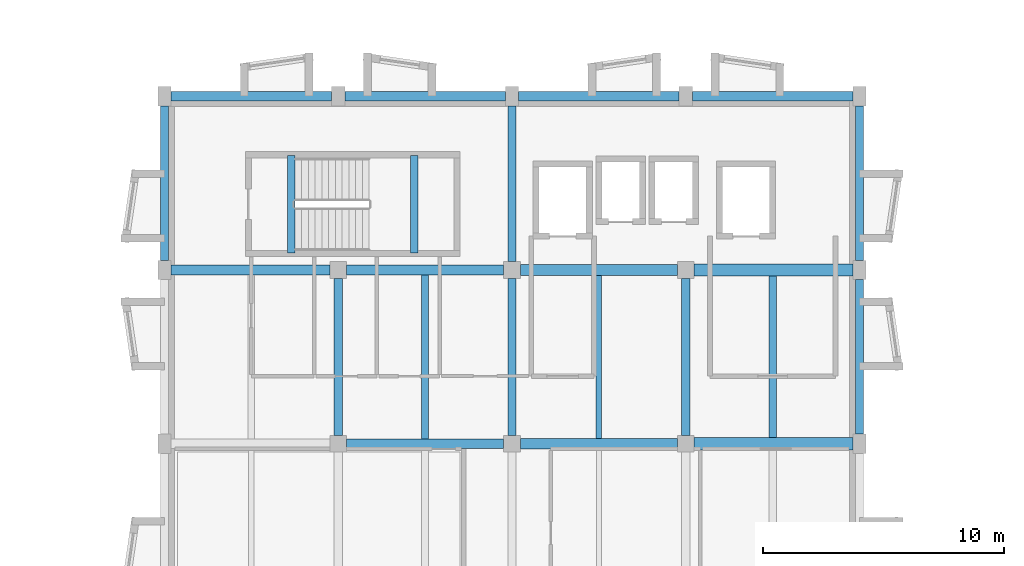
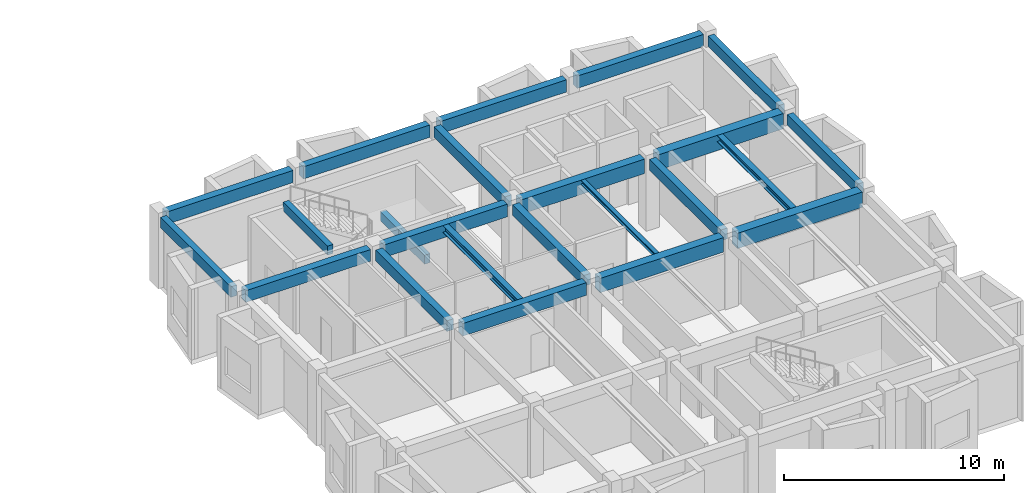
# One storey, part 21 of 49: 23 beams.
"""IFC4 building model written with IfcOpenShell, lengths in metres."""

from ifc_helpers import new_model, si_unit, direction, frame, origin, origin_2d, place, context, subcontext, project, spatial, rectangle, i_section, extrude, material, material_profile, profile_set, type_object, element, save


model = new_model("IFC4")

# Units and contexts
model_context = context("Model", 3, precision=1e-05, world=origin(), true_north=direction((0.0, 1.0)))
body_context = subcontext(model_context, "Body", "Model", "MODEL_VIEW")
ifc_project = project(units=[si_unit("LENGTHUNIT", "METRE"), si_unit("AREAUNIT", "SQUARE_METRE"), si_unit("VOLUMEUNIT", "CUBIC_METRE"), si_unit("PLANEANGLEUNIT", "RADIAN"), si_unit("MASSUNIT", "GRAM", prefix="KILO")], contexts=[model_context])

# Site, building, storey
site_placement = place(None, origin())
site = spatial("IfcSite", under=ifc_project, at=site_placement, CompositionType="ELEMENT")
building_placement = place(site_placement, origin())
building = spatial("IfcBuilding", under=site, at=building_placement, Name="Bramveld Media Centre", CompositionType="ELEMENT")
storey_placement = place(building_placement, frame((0.0, 0.0, 9.60009765625)))
storey = spatial("IfcBuildingStorey", under=building, at=storey_placement, Name="L02", CompositionType="ELEMENT", Elevation=9.60009765625)

# Beams
ifc_material_1 = material(Name="Concrete C40/50", Category="concrete")
ifc_material_profile_1 = material_profile(ifc_material_1, rectangle(XDim=0.300048828125, YDim=0.5, at=origin_2d()), Name="RC 300x500")
ifc_profile_set_1 = profile_set([ifc_material_profile_1], Name="Concrete C40/50")
beam_type_1 = type_object("IfcBeamType", Name="BM-INT-RC-300x500", PredefinedType="BEAM", material=ifc_profile_set_1)
for number, where, z_axis, x_axis, name in (
    (1, (136.449951171875, 105.5, 3.949951171875), (0.0, 1.0, 0.0), (-1.0, 0.0, 0.0), "ST-01 L03 stairwell landing trimmer beam"),
    (2, (141.550048828125, 105.5, 1.64990234375), (0.0, 1.0, 0.0), (-1.0, 0.0, 0.0), "ST-01 L02 stairwell half-landing support beam"),
):
    element("IfcBeam", number, at=place(storey_placement, frame(where, z_axis=z_axis, x_axis=x_axis)), inside=storey, type_object=beam_type_1, Name=name, PredefinedType="BEAM", context=body_context, shape_type="SweptSolid", body=[
        extrude(rectangle(XDim=0.300048828125, YDim=0.5, at=origin_2d()), origin(), (0.0, 0.0, 1.0), 4.050048828125),
    ])
ifc_material_2 = material(Name="Concrete C40/50", Category="concrete")
ifc_material_profile_2 = material_profile(ifc_material_2, rectangle(XDim=0.35009765625, YDim=0.60009765625, at=origin_2d()), Name="RC 350x600")
ifc_profile_set_2 = profile_set([ifc_material_profile_2], Name="Concrete C40/50")
beam_type_2 = type_object("IfcBeamType", Name="BM-INT-RC-350x600", PredefinedType="BEAM", material=ifc_profile_set_2)
for number, where, z_axis, x_axis, name in (
    (3, (138.39990234375, 97.949951171875, 3.64990234375), (0.0, 1.0, 0.0), (-1.0, 0.0, 0.0), "V7 L02 girder Y-1364"),
    (4, (145.60009765625, 97.949951171875, 3.64990234375), (0.0, 1.0, 0.0), (-1.0, 0.0, 0.0), "V7 L02 girder Y-1367"),
):
    element("IfcBeam", number, at=place(storey_placement, frame(where, z_axis=z_axis, x_axis=x_axis)), inside=storey, type_object=beam_type_2, Name=name, PredefinedType="BEAM", context=body_context, shape_type="SweptSolid", body=[
        extrude(rectangle(XDim=0.35009765625, YDim=0.60009765625, at=origin_2d()), origin(), (0.0, 0.0, 1.0), 6.5),
    ])
beam_1_placement = place(storey_placement, frame((145.60009765625, 105.14990234375, 3.64990234375), z_axis=(0.0, 1.0, 0.0), x_axis=(-1.0, 0.0, 0.0)))
element("IfcBeam", 5, at=beam_1_placement, inside=storey, type_object=beam_type_2, Name="V7 L02 girder Y-1368", PredefinedType="BEAM", context=body_context, shape_type="SweptSolid", body=[
    extrude(rectangle(XDim=0.35009765625, YDim=0.60009765625, at=origin_2d()), origin(), (0.0, 0.0, 1.0), 6.4501953125),
])
beam_2_placement = place(storey_placement, frame((152.800048828125, 97.949951171875, 3.64990234375), z_axis=(0.0, 1.0, 0.0), x_axis=(-1.0, 0.0, 0.0)))
element("IfcBeam", 6, at=beam_2_placement, inside=storey, type_object=beam_type_2, Name="V7 L02 girder Y-1370", PredefinedType="BEAM", context=body_context, shape_type="SweptSolid", body=[
    extrude(rectangle(XDim=0.35009765625, YDim=0.60009765625, at=origin_2d()), origin(), (0.0, 0.0, 1.0), 6.5),
])
ifc_material_3 = material(Name="Concrete C40/50", Category="concrete")
ifc_material_profile_3 = material_profile(ifc_material_3, rectangle(XDim=0.39990234375, YDim=0.64990234375, at=origin_2d()), Name="RC 400x650")
ifc_profile_set_3 = profile_set([ifc_material_profile_3], Name="Concrete C40/50")
beam_type_3 = type_object("IfcBeamType", Name="BM-INT-RC-400x650", PredefinedType="BEAM", material=ifc_profile_set_3)
beam_3_placement = place(storey_placement, frame((131.47509765625, 104.800048828125, 3.625), z_axis=(1.0, 0.0, 0.0), x_axis=(0.0, 1.0, 0.0)))
element("IfcBeam", 7, at=beam_3_placement, inside=storey, type_object=beam_type_3, Name="V7 L02 girder X-1350", PredefinedType="BEAM", context=body_context, shape_type="SweptSolid", body=[
    extrude(rectangle(XDim=0.39990234375, YDim=0.64990234375, at=origin_2d()), origin(), (0.0, 0.0, 1.0), 6.574951171875),
])
ifc_material_4 = material(Name="Concrete C40/50", Category="concrete")
ifc_material_profile_4 = material_profile(ifc_material_4, rectangle(XDim=0.39990234375, YDim=0.699951171875, at=origin_2d()), Name="RC 400x700")
ifc_profile_set_4 = profile_set([ifc_material_profile_4], Name="Concrete C40/50")
beam_type_4 = type_object("IfcBeamType", Name="BM-INT-RC-400x700", PredefinedType="BEAM", material=ifc_profile_set_4)
for number, where, z_axis, x_axis, name in (
    (8, (138.75, 97.60009765625, 3.599853515625), (1.0, 0.0, 0.0), (0.0, 1.0, 0.0), "V7 L02 girder X-1347"),
    (9, (138.75, 104.800048828125, 3.599853515625), (1.0, 0.0, 0.0), (0.0, 1.0, 0.0), "V7 L02 girder X-1351"),
):
    element("IfcBeam", number, at=place(storey_placement, frame(where, z_axis=z_axis, x_axis=x_axis)), inside=storey, type_object=beam_type_4, Name=name, PredefinedType="BEAM", context=body_context, shape_type="SweptSolid", body=[
        extrude(rectangle(XDim=0.39990234375, YDim=0.699951171875, at=origin_2d()), origin(), (0.0, 0.0, 1.0), 6.5),
    ])
ifc_material_5 = material(Name="Concrete C40/50", Category="concrete")
ifc_material_profile_5 = material_profile(ifc_material_5, rectangle(XDim=0.449951171875, YDim=0.800048828125, at=origin_2d()), Name="RC 450x800")
ifc_profile_set_5 = profile_set([ifc_material_profile_5], Name="Concrete C40/50")
beam_type_5 = type_object("IfcBeamType", Name="BM-INT-RC-450x800", PredefinedType="BEAM", material=ifc_profile_set_5)
for number, where, z_axis, x_axis, name in (
    (10, (145.949951171875, 97.60009765625, 3.5498046875), (1.0, 0.0, 0.0), (0.0, 1.0, 0.0), "V7 L02 girder X-1348"),
    (11, (145.949951171875, 104.800048828125, 3.5498046875), (1.0, 0.0, 0.0), (0.0, 1.0, 0.0), "V7 L02 girder X-1352"),
):
    element("IfcBeam", number, at=place(storey_placement, frame(where, z_axis=z_axis, x_axis=x_axis)), inside=storey, type_object=beam_type_5, Name=name, PredefinedType="BEAM", context=body_context, shape_type="SweptSolid", body=[
        extrude(rectangle(XDim=0.449951171875, YDim=0.800048828125, at=origin_2d()), origin(), (0.0, 0.0, 1.0), 6.5),
    ])
ifc_material_6 = material(Name="Concrete C40/50", Category="concrete")
ifc_material_profile_6 = material_profile(ifc_material_6, rectangle(XDim=0.5, YDim=0.85009765625, at=origin_2d()), Name="RC 500x850")
ifc_profile_set_6 = profile_set([ifc_material_profile_6], Name="Concrete C40/50")
beam_type_6 = type_object("IfcBeamType", Name="BM-INT-RC-500x850", PredefinedType="BEAM", material=ifc_profile_set_6)
for number, where, z_axis, x_axis, name in (
    (12, (153.14990234375, 97.60009765625, 3.52490234375), (1.0, 0.0, 0.0), (0.0, 1.0, 0.0), "V7 L02 girder X-1349"),
    (13, (153.14990234375, 104.800048828125, 3.52490234375), (1.0, 0.0, 0.0), (0.0, 1.0, 0.0), "V7 L02 girder X-1353"),
):
    element("IfcBeam", number, at=place(storey_placement, frame(where, z_axis=z_axis, x_axis=x_axis)), inside=storey, type_object=beam_type_6, Name=name, PredefinedType="BEAM", context=body_context, shape_type="SweptSolid", body=[
        extrude(rectangle(XDim=0.5, YDim=0.85009765625, at=origin_2d()), origin(), (0.0, 0.0, 1.0), 6.5751953125),
    ])
ifc_material_7 = material(Name="Steel S355J2", Category="steel")
ifc_material_profile_7 = material_profile(ifc_material_7, i_section(OverallWidth=0.300048828125, OverallDepth=0.389892578125, WebThickness=0.010986328125, FlangeThickness=0.01904296875, FilletRadius=0.027099609375, at=origin_2d()), Name="HEA 400")
ifc_profile_set_7 = profile_set([ifc_material_profile_7], Name="Steel S355J2")
beam_type_7 = type_object("IfcBeamType", Name="SBM-INT-HEA-400", PredefinedType="BEAM", material=ifc_profile_set_7)
beam_4_placement = place(storey_placement, frame((142.0, 97.800048828125, 3.7548828125), z_axis=(0.0, 1.0, 0.0), x_axis=(-1.0, 0.0, 0.0)))
element("IfcBeam", 14, at=beam_4_placement, inside=storey, type_object=beam_type_7, Name="V7 L02 secondary floor joist 1380", PredefinedType="BEAM", context=body_context, shape_type="SweptSolid", body=[
    extrude(i_section(OverallWidth=0.300048828125, OverallDepth=0.389892578125, WebThickness=0.010986328125, FlangeThickness=0.01904296875, FilletRadius=0.027099609375, at=origin_2d()), origin(), (0.0, 0.0, 1.0), 6.800048828125),
])
ifc_material_8 = material(Name="Steel S355J2", Category="steel")
ifc_material_profile_8 = material_profile(ifc_material_8, i_section(OverallWidth=0.219970703125, OverallDepth=0.219970703125, WebThickness=0.009521484375, FlangeThickness=0.01611328125, FilletRadius=0.01806640625, at=origin_2d()), Name="HEB 220")
ifc_profile_set_8 = profile_set([ifc_material_profile_8], Name="Steel S355J2")
beam_type_8 = type_object("IfcBeamType", Name="SBM-INT-HEB-220", PredefinedType="BEAM", material=ifc_profile_set_8)
beam_5_placement = place(storey_placement, frame((149.199951171875, 97.824951171875, 3.83984375), z_axis=(0.0, 1.0, 0.0), x_axis=(-1.0, 0.0, 0.0)))
element("IfcBeam", 15, at=beam_5_placement, inside=storey, type_object=beam_type_8, Name="V7 L02 secondary floor joist 1382", PredefinedType="BEAM", context=body_context, shape_type="SweptSolid", body=[
    extrude(i_section(OverallWidth=0.219970703125, OverallDepth=0.219970703125, WebThickness=0.009521484375, FlangeThickness=0.01611328125, FilletRadius=0.01806640625, at=origin_2d()), origin(), (0.0, 0.0, 1.0), 6.75),
])
ifc_material_9 = material(Name="Steel S355J2", Category="steel")
ifc_material_profile_9 = material_profile(ifc_material_9, i_section(OverallWidth=0.300048828125, OverallDepth=0.360107421875, WebThickness=0.012451171875, FlangeThickness=0.0224609375, FilletRadius=0.027099609375, at=origin_2d()), Name="HEB 360")
ifc_profile_set_9 = profile_set([ifc_material_profile_9], Name="Steel S355J2")
beam_type_9 = type_object("IfcBeamType", Name="SBM-INT-HEB-360", PredefinedType="BEAM", material=ifc_profile_set_9)
beam_6_placement = place(storey_placement, frame((156.39990234375, 97.85009765625, 3.77001953125), z_axis=(0.0, 1.0, 0.0), x_axis=(-1.0, 0.0, 0.0)))
element("IfcBeam", 16, at=beam_6_placement, inside=storey, type_object=beam_type_9, Name="V7 L02 secondary floor joist 1385", PredefinedType="BEAM", context=body_context, shape_type="SweptSolid", body=[
    extrude(i_section(OverallWidth=0.300048828125, OverallDepth=0.360107421875, WebThickness=0.012451171875, FlangeThickness=0.0224609375, FilletRadius=0.027099609375, at=origin_2d()), origin(), (0.0, 0.0, 1.0), 6.699951171875),
])
ifc_material_10 = material(Name="Concrete C40/50", Category="concrete")
ifc_material_profile_10 = material_profile(ifc_material_10, rectangle(XDim=0.320068359375, YDim=0.580078125, at=origin_2d()), Name="RC 320x580")
ifc_profile_set_10 = profile_set([ifc_material_profile_10], Name="Concrete C40/50")
beam_type_10 = type_object("IfcBeamType", Name="SPANDREL-EXT-RC-320x580", PredefinedType="SPANDREL", material=ifc_profile_set_10)
beam_7_placement = place(storey_placement, frame((131.199951171875, 105.199951171875, 3.659912109375), z_axis=(0.0, 1.0, 0.0), x_axis=(-1.0, 0.0, 0.0)))
element("IfcBeam", 17, at=beam_7_placement, inside=storey, type_object=beam_type_10, Name="V7 L02 girder Y-1361", PredefinedType="SPANDREL", context=body_context, shape_type="SweptSolid", body=[
    extrude(rectangle(XDim=0.320068359375, YDim=0.580078125, at=origin_2d()), origin(), (0.0, 0.0, 1.0), 6.400146484375),
])
beam_8_placement = place(storey_placement, frame((160.0, 98.0, 3.659912109375), z_axis=(0.0, 1.0, 0.0), x_axis=(-1.0, 0.0, 0.0)))
element("IfcBeam", 18, at=beam_8_placement, inside=storey, type_object=beam_type_10, Name="V7 L02 girder Y-1373", PredefinedType="SPANDREL", context=body_context, shape_type="SweptSolid", body=[
    extrude(rectangle(XDim=0.320068359375, YDim=0.580078125, at=origin_2d()), origin(), (0.0, 0.0, 1.0), 6.39990234375),
])
beam_9_placement = place(storey_placement, frame((160.0, 105.199951171875, 3.659912109375), z_axis=(0.0, 1.0, 0.0), x_axis=(-1.0, 0.0, 0.0)))
element("IfcBeam", 19, at=beam_9_placement, inside=storey, type_object=beam_type_10, Name="V7 L02 girder Y-1374", PredefinedType="SPANDREL", context=body_context, shape_type="SweptSolid", body=[
    extrude(rectangle(XDim=0.320068359375, YDim=0.580078125, at=origin_2d()), origin(), (0.0, 0.0, 1.0), 6.400146484375),
])
ifc_material_11 = material(Name="Concrete C40/50", Category="concrete")
ifc_material_profile_11 = material_profile(ifc_material_11, rectangle(XDim=0.3798828125, YDim=0.679931640625, at=origin_2d()), Name="RC 380x680")
ifc_profile_set_11 = profile_set([ifc_material_profile_11], Name="Concrete C40/50")
beam_type_11 = type_object("IfcBeamType", Name="SPANDREL-EXT-RC-380x680", PredefinedType="SPANDREL", material=ifc_profile_set_11)
for number, where, z_axis, x_axis, name in (
    (20, (131.47509765625, 112.0, 3.60986328125), (1.0, 0.0, 0.0), (0.0, 1.0, 0.0), "V7 L02 girder X-1354"),
    (21, (138.675048828125, 112.0, 3.60986328125), (1.0, 0.0, 0.0), (0.0, 1.0, 0.0), "V7 L02 girder X-1355"),
    (22, (145.875, 112.0, 3.60986328125), (1.0, 0.0, 0.0), (0.0, 1.0, 0.0), "V7 L02 girder X-1356"),
):
    element("IfcBeam", number, at=place(storey_placement, frame(where, z_axis=z_axis, x_axis=x_axis)), inside=storey, type_object=beam_type_11, Name=name, PredefinedType="SPANDREL", context=body_context, shape_type="SweptSolid", body=[
        extrude(rectangle(XDim=0.3798828125, YDim=0.679931640625, at=origin_2d()), origin(), (0.0, 0.0, 1.0), 6.64990234375),
    ])
beam_10_placement = place(storey_placement, frame((153.074951171875, 112.0, 3.60986328125), z_axis=(1.0, 0.0, 0.0), x_axis=(0.0, 1.0, 0.0)))
element("IfcBeam", 23, at=beam_10_placement, inside=storey, type_object=beam_type_11, Name="V7 L02 girder X-1357", PredefinedType="SPANDREL", context=body_context, shape_type="SweptSolid", body=[
    extrude(rectangle(XDim=0.3798828125, YDim=0.679931640625, at=origin_2d()), origin(), (0.0, 0.0, 1.0), 6.650146484375),
])

save(model, "model.ifc")
